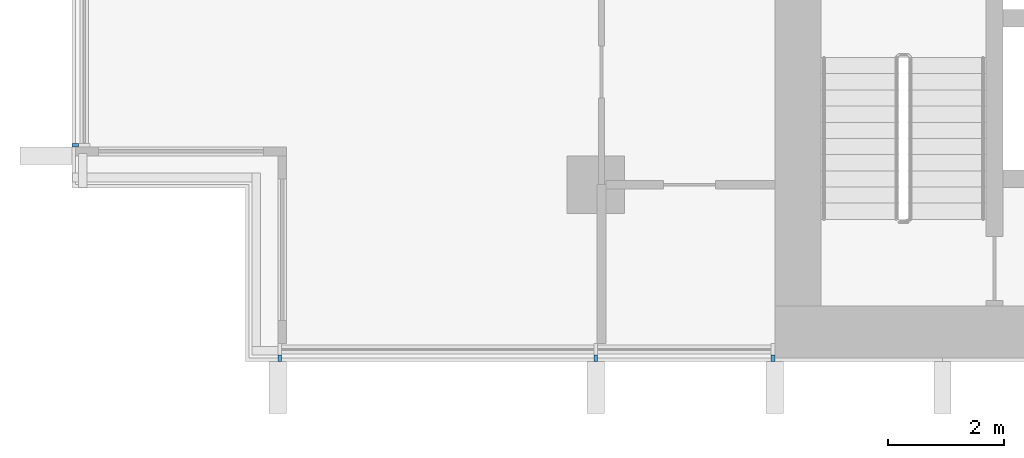
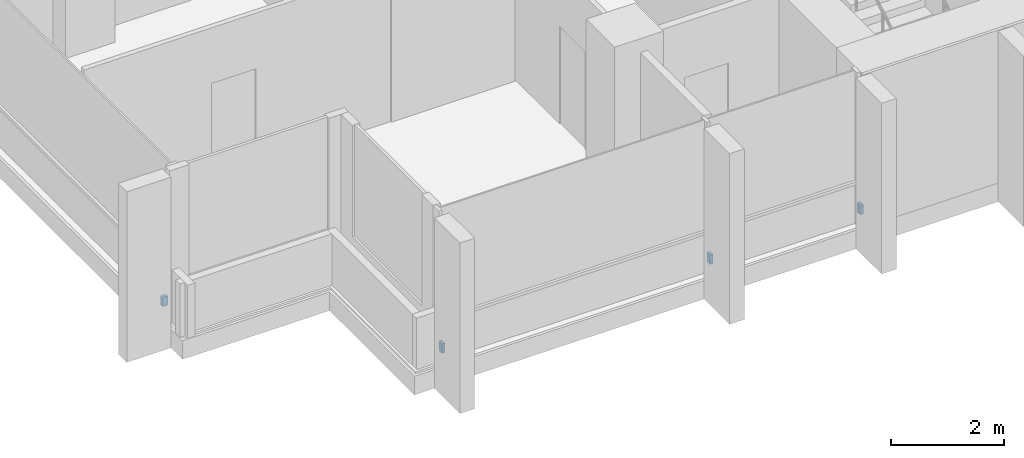
# One storey, part 14 of 19: 4 discrete accessories.
"""IFC4 building model written with IfcOpenShell, lengths in metres."""

import ifcopenshell
import ifcopenshell.guid

model = None  # the IFC model being written
_history = None  # IfcOwnerHistory: only IFC2X3 demands one
_inside = {}  # id of a spatial element -> (the spatial element, [elements in it])
_under = {}  # id of a project, library or spatial element -> (it, [spatial elements below it])
_declared = {}  # id of a project -> (the project, [libraries it declares])
_typed = {}  # id of a type object -> (the type object, [elements of that type])
_made_of = {}  # id of a material, layer set ... -> (it, [elements and type objects made of it])


def new_model(schema):
    """Start an empty IFC model of exactly this schema.

    Asked for "IFC4X3", IfcOpenShell would pick the latest addendum, in which some entities
    have other attributes; the version numbers below select the first issue.
    IFC2X3 requires an IfcOwnerHistory on every rooted entity: one is made here for all.
    """
    global model, _history
    if schema == "IFC4X3":
        model = ifcopenshell.file(schema_version=(4, 3, 0, 0))
    else:
        model = ifcopenshell.file(schema=schema)
    _inside.clear()
    _under.clear()
    _declared.clear()
    _typed.clear()
    _made_of.clear()
    _history = None
    if model.schema == "IFC2X3":
        org = make("IfcOrganization", Name="unknown")
        user = make(
            "IfcPersonAndOrganization",
            ThePerson=make("IfcPerson", FamilyName="unknown"),
            TheOrganization=org,
        )
        app = make(
            "IfcApplication",
            ApplicationDeveloper=org,
            Version="unknown",
            ApplicationFullName="unknown",
            ApplicationIdentifier="unknown",
        )
        _history = make(
            "IfcOwnerHistory",
            OwningUser=user,
            OwningApplication=app,
            ChangeAction="ADDED",
            CreationDate=0,
        )
    return model


def make(cls, **values):
    """One entity of the class cls with the attributes given. An attribute that is None is left unset."""
    return model.create_entity(
        cls, **{name: value for name, value in values.items() if value is not None}
    )


def rooted(cls, **values):
    """An entity with a GlobalId (a new one), such as an element, a storey or a relation."""
    return make(cls, GlobalId=ifcopenshell.guid.new(), OwnerHistory=_history, **values)


def si_unit(unit_type, name, prefix=None):
    """IfcSIUnit, for example si_unit("LENGTHUNIT", "METRE", prefix="MILLI")."""
    return make("IfcSIUnit", UnitType=unit_type, Prefix=prefix, Name=name)


def assignment(units):
    """IfcUnitAssignment: the units of a project."""
    return None if units is None else make("IfcUnitAssignment", Units=units)


def point(xyz):
    """IfcCartesianPoint."""
    return None if xyz is None else make("IfcCartesianPoint", Coordinates=xyz)


def direction(xyz):
    """IfcDirection."""
    return None if xyz is None else make("IfcDirection", DirectionRatios=xyz)


def frame(location, z_axis=None, x_axis=None):
    """IfcAxis2Placement3D, a coordinate frame: its origin and axes. An axis left out is left unset."""
    return make(
        "IfcAxis2Placement3D",
        Location=point(location),
        Axis=direction(z_axis),
        RefDirection=direction(x_axis),
    )


def frame_2d(location, x_axis=None):
    """IfcAxis2Placement2D, a coordinate frame in the plane: its origin and x axis."""
    return make(
        "IfcAxis2Placement2D", Location=point(location), RefDirection=direction(x_axis)
    )


def origin():
    """The frame at (0, 0, 0) with its axes left unset."""
    return frame((0.0, 0.0, 0.0))


def origin_2d():
    """The frame at (0, 0) in the plane with its x axis left unset."""
    return frame_2d((0.0, 0.0))


def place(relative_to, where):
    """IfcLocalPlacement: puts the frame where relative to a parent placement (None: the world)."""
    return make(
        "IfcLocalPlacement", PlacementRelTo=relative_to, RelativePlacement=where
    )


def context(
    kind, dimensions, precision=None, world=None, true_north=None, identifier=None
):
    """IfcGeometricRepresentationContext, for example the 3D "Model" context."""
    return make(
        "IfcGeometricRepresentationContext",
        ContextIdentifier=identifier,
        ContextType=kind,
        CoordinateSpaceDimension=dimensions,
        Precision=precision,
        WorldCoordinateSystem=world,
        TrueNorth=true_north,
    )


def subcontext(parent, identifier, kind, view, scale=None):
    """IfcGeometricRepresentationSubContext, for example "Body" below "Model"."""
    return make(
        "IfcGeometricRepresentationSubContext",
        ContextIdentifier=identifier,
        ContextType=kind,
        ParentContext=parent,
        TargetScale=scale,
        TargetView=view,
    )


def project(units=None, contexts=None):
    """IfcProject with its units and contexts."""
    return rooted(
        "IfcProject",
        Name="project",
        RepresentationContexts=contexts,
        UnitsInContext=assignment(units),
    )


def spatial(cls, under=None, at=None, **own):
    """A site, building, storey or space (cls), placed at a placement, below another one or the project."""
    s = rooted(cls, ObjectPlacement=at, **own)
    if under is not None:
        _under.setdefault(under.id(), (under, []))[1].append(s)
    return s


def profile(cls, at=None, kind="AREA", **sizes):
    """A parametric profile (cls). Its sizes go by their IFC names, for example OverallWidth=200.0."""
    return make(cls, ProfileType=kind, Position=at, **sizes)


def rectangle(**sizes):
    """IfcRectangleProfileDef."""
    return profile("IfcRectangleProfileDef", **sizes)


def extrude(swept, where, along, depth):
    """IfcExtrudedAreaSolid: the profile swept, set in the frame where, extruded along a direction by depth."""
    return make(
        "IfcExtrudedAreaSolid",
        SweptArea=swept,
        Position=where,
        ExtrudedDirection=direction(along),
        Depth=depth,
    )


def shape(context_of_items, identifier, shape_type, items):
    """IfcShapeRepresentation: the items that make up one representation, for example the "Body"."""
    return make(
        "IfcShapeRepresentation",
        ContextOfItems=context_of_items,
        RepresentationIdentifier=identifier,
        RepresentationType=shape_type,
        Items=items,
    )


def material(Name=None, Category=None):
    """IfcMaterial."""
    return make("IfcMaterial", Name=Name, Category=Category)


def made_of(thing, what):
    """Note that an element or type object is made of a material, layer set ...; save() writes the relation."""
    if what is not None:
        _made_of.setdefault(what.id(), (what, []))[1].append(thing)
    return thing


def type_object(cls, material=None, **own):
    """A type object (cls), such as IfcWallType, which elements share."""
    return made_of(rooted(cls, **own), material)


def element(
    cls,
    number,
    at=None,
    inside=None,
    cuts=None,
    type_object=None,
    material=None,
    context=None,
    identifier="Body",
    shape_type=None,
    held_by="IfcProductDefinitionShape",
    body=None,
    shapes=None,
    **own,
):
    """One element of the class cls, such as IfcWall. Its Tag is "e" and its number.

    at: its placement. inside: the storey or other place that contains it. cuts: it is an
    opening in that element (IfcRelVoidsElement). A single representation is given by context,
    identifier, shape_type and body (its items); several are given by shapes. held_by: the class
    of the entity that holds the representations. save() writes the other relations.
    """
    e = rooted(cls, Tag="e%d" % number, ObjectPlacement=at, **own)
    if body is not None:
        shapes = [shape(context, identifier, shape_type, body)]
    if shapes is not None:
        e.Representation = make(held_by, Representations=shapes)
    if inside is not None:
        _inside.setdefault(inside.id(), (inside, []))[1].append(e)
    if cuts is not None:
        rooted(
            "IfcRelVoidsElement", RelatingBuildingElement=cuts, RelatedOpeningElement=e
        )
    if type_object is not None:
        _typed.setdefault(type_object.id(), (type_object, []))[1].append(e)
    return made_of(e, material)


def aggregate(whole, parts):
    """IfcRelAggregates: a whole, such as a stair, and the parts it consists of."""
    return rooted("IfcRelAggregates", RelatingObject=whole, RelatedObjects=parts)


def save(model, path):
    """Write the relations noted so far, then the file.

    IfcRelAggregates (storeys below a building ...), IfcRelContainedInSpatialStructure (elements
    in a storey), IfcRelDefinesByType, IfcRelAssociatesMaterial and IfcRelDeclares: one each for
    every whole, place, type object, material and project.
    """
    for whole, parts in _under.values():
        aggregate(whole, parts)
    for where, things in _inside.values():
        rooted(
            "IfcRelContainedInSpatialStructure",
            RelatedElements=things,
            RelatingStructure=where,
        )
    for kind, things in _typed.values():
        rooted("IfcRelDefinesByType", RelatedObjects=things, RelatingType=kind)
    for what, things in _made_of.values():
        rooted("IfcRelAssociatesMaterial", RelatedObjects=things, RelatingMaterial=what)
    for by, libraries in _declared.values():
        rooted("IfcRelDeclares", RelatingContext=by, RelatedDefinitions=libraries)
    model.write(path)


model = new_model("IFC4")

# Units and contexts
model_context = context("Model", 3, precision=1e-05, world=origin(), true_north=direction((0.0, 1.0)))
body_context = subcontext(model_context, "Body", "Model", "MODEL_VIEW")
ifc_project = project(units=[si_unit("LENGTHUNIT", "METRE"), si_unit("AREAUNIT", "SQUARE_METRE"), si_unit("VOLUMEUNIT", "CUBIC_METRE"), si_unit("PLANEANGLEUNIT", "RADIAN"), si_unit("MASSUNIT", "GRAM", prefix="KILO")], contexts=[model_context])

# Site, building, storey
site_placement = place(None, origin())
site = spatial("IfcSite", under=ifc_project, at=site_placement, CompositionType="ELEMENT")
building_placement = place(site_placement, origin())
building = spatial("IfcBuilding", under=site, at=building_placement, Name="Finial Court Residences", CompositionType="ELEMENT")
storey_placement = place(building_placement, frame((0.0, 0.0, 81.10009765625)))
storey = spatial("IfcBuildingStorey", under=building, at=storey_placement, Name="L19", CompositionType="ELEMENT", Elevation=81.10009765625)

# Discrete accessories
ifc_material = material(Name="Stainless steel 316", Category="steel")
discrete_accessory_type = type_object("IfcDiscreteAccessoryType", Name="Fin bracket, stainless steel 65 x 110 x 200", PredefinedType="BRACKET", material=ifc_material)
for number, where, z_axis, x_axis, name in (
    (1, (-21.967529296875, -25.5048828125, 0.2998046875), (0.0, 0.0, 1.0), (1.0, 0.0, 0.0), "E-L19-FIN-S16-BRK"),
    (2, (-16.5, -25.5048828125, 0.2998046875), (0.0, 0.0, 1.0), (1.0, 0.0, 0.0), "E-L19-FIN-S17-BRK"),
    (3, (-13.4326171875, -25.5048828125, 0.2998046875), (0.0, 0.0, 1.0), (1.0, 0.0, 0.0), "E-L19-FIN-S18-BRK"),
):
    element("IfcDiscreteAccessory", number, at=place(storey_placement, frame(where, z_axis=z_axis, x_axis=x_axis)), inside=storey, type_object=discrete_accessory_type, Name=name, PredefinedType="BRACKET", context=body_context, shape_type="SweptSolid", body=[
        extrude(rectangle(XDim=0.06494140625, YDim=0.110107421875, at=origin_2d()), origin(), (0.0, 0.0, 1.0), 0.199951171875),
    ])
discrete_accessory_placement = place(storey_placement, frame((-25.5048828125, -21.8173828125, 0.2998046875), z_axis=(0.0, 0.0, 1.0), x_axis=(1.0, 0.0, 0.0)))
element("IfcDiscreteAccessory", 4, at=discrete_accessory_placement, inside=storey, type_object=discrete_accessory_type, Name="E-L19-FIN-W26-BRK", PredefinedType="BRACKET", context=body_context, shape_type="SweptSolid", body=[
    extrude(rectangle(XDim=0.110107421875, YDim=0.06494140625, at=origin_2d()), origin(), (0.0, 0.0, 1.0), 0.199951171875),
])

save(model, "model.ifc")
